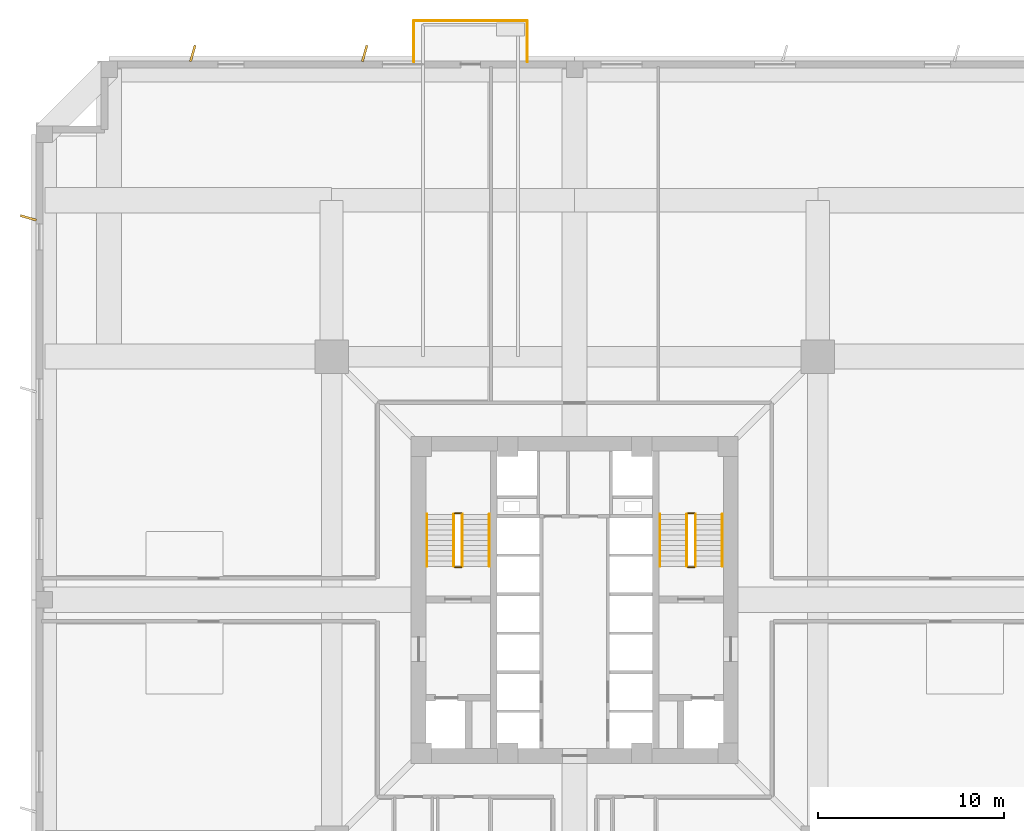
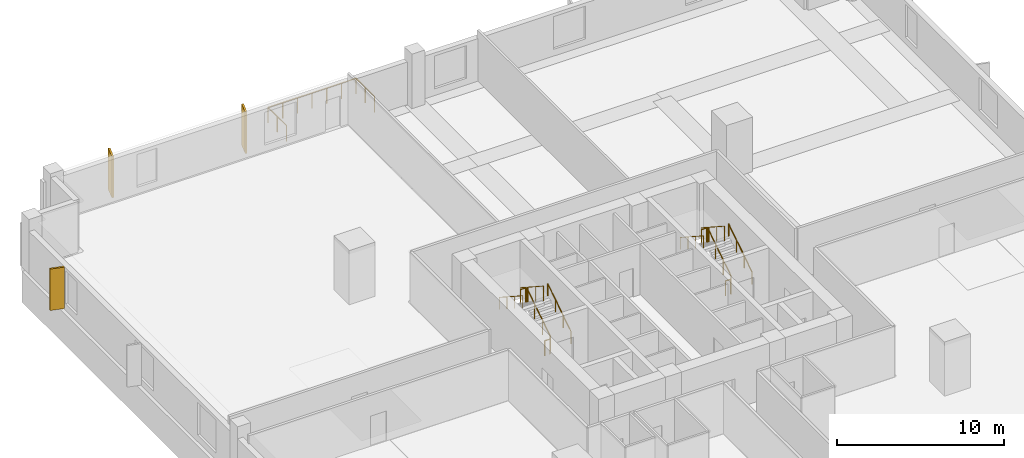
# One storey, part 8 of 9: 15 railings, 3 coverings.
"""IFC4 building model written with IfcOpenShell, lengths in metres."""

import ifcopenshell
import ifcopenshell.guid

model = None  # the IFC model being written
_history = None  # IfcOwnerHistory: only IFC2X3 demands one
_inside = {}  # id of a spatial element -> (the spatial element, [elements in it])
_under = {}  # id of a project, library or spatial element -> (it, [spatial elements below it])
_declared = {}  # id of a project -> (the project, [libraries it declares])
_typed = {}  # id of a type object -> (the type object, [elements of that type])
_made_of = {}  # id of a material, layer set ... -> (it, [elements and type objects made of it])


def new_model(schema):
    """Start an empty IFC model of exactly this schema.

    Asked for "IFC4X3", IfcOpenShell would pick the latest addendum, in which some entities
    have other attributes; the version numbers below select the first issue.
    IFC2X3 requires an IfcOwnerHistory on every rooted entity: one is made here for all.
    """
    global model, _history
    if schema == "IFC4X3":
        model = ifcopenshell.file(schema_version=(4, 3, 0, 0))
    else:
        model = ifcopenshell.file(schema=schema)
    _inside.clear()
    _under.clear()
    _declared.clear()
    _typed.clear()
    _made_of.clear()
    _history = None
    if model.schema == "IFC2X3":
        org = make("IfcOrganization", Name="unknown")
        user = make(
            "IfcPersonAndOrganization",
            ThePerson=make("IfcPerson", FamilyName="unknown"),
            TheOrganization=org,
        )
        app = make(
            "IfcApplication",
            ApplicationDeveloper=org,
            Version="unknown",
            ApplicationFullName="unknown",
            ApplicationIdentifier="unknown",
        )
        _history = make(
            "IfcOwnerHistory",
            OwningUser=user,
            OwningApplication=app,
            ChangeAction="ADDED",
            CreationDate=0,
        )
    return model


def make(cls, **values):
    """One entity of the class cls with the attributes given. An attribute that is None is left unset."""
    return model.create_entity(
        cls, **{name: value for name, value in values.items() if value is not None}
    )


def rooted(cls, **values):
    """An entity with a GlobalId (a new one), such as an element, a storey or a relation."""
    return make(cls, GlobalId=ifcopenshell.guid.new(), OwnerHistory=_history, **values)


def si_unit(unit_type, name, prefix=None):
    """IfcSIUnit, for example si_unit("LENGTHUNIT", "METRE", prefix="MILLI")."""
    return make("IfcSIUnit", UnitType=unit_type, Prefix=prefix, Name=name)


def assignment(units):
    """IfcUnitAssignment: the units of a project."""
    return None if units is None else make("IfcUnitAssignment", Units=units)


def point(xyz):
    """IfcCartesianPoint."""
    return None if xyz is None else make("IfcCartesianPoint", Coordinates=xyz)


def direction(xyz):
    """IfcDirection."""
    return None if xyz is None else make("IfcDirection", DirectionRatios=xyz)


def frame(location, z_axis=None, x_axis=None):
    """IfcAxis2Placement3D, a coordinate frame: its origin and axes. An axis left out is left unset."""
    return make(
        "IfcAxis2Placement3D",
        Location=point(location),
        Axis=direction(z_axis),
        RefDirection=direction(x_axis),
    )


def frame_2d(location, x_axis=None):
    """IfcAxis2Placement2D, a coordinate frame in the plane: its origin and x axis."""
    return make(
        "IfcAxis2Placement2D", Location=point(location), RefDirection=direction(x_axis)
    )


def origin():
    """The frame at (0, 0, 0) with its axes left unset."""
    return frame((0.0, 0.0, 0.0))


def origin_2d():
    """The frame at (0, 0) in the plane with its x axis left unset."""
    return frame_2d((0.0, 0.0))


def place(relative_to, where):
    """IfcLocalPlacement: puts the frame where relative to a parent placement (None: the world)."""
    return make(
        "IfcLocalPlacement", PlacementRelTo=relative_to, RelativePlacement=where
    )


def context(
    kind, dimensions, precision=None, world=None, true_north=None, identifier=None
):
    """IfcGeometricRepresentationContext, for example the 3D "Model" context."""
    return make(
        "IfcGeometricRepresentationContext",
        ContextIdentifier=identifier,
        ContextType=kind,
        CoordinateSpaceDimension=dimensions,
        Precision=precision,
        WorldCoordinateSystem=world,
        TrueNorth=true_north,
    )


def subcontext(parent, identifier, kind, view, scale=None):
    """IfcGeometricRepresentationSubContext, for example "Body" below "Model"."""
    return make(
        "IfcGeometricRepresentationSubContext",
        ContextIdentifier=identifier,
        ContextType=kind,
        ParentContext=parent,
        TargetScale=scale,
        TargetView=view,
    )


def project(units=None, contexts=None):
    """IfcProject with its units and contexts."""
    return rooted(
        "IfcProject",
        Name="project",
        RepresentationContexts=contexts,
        UnitsInContext=assignment(units),
    )


def spatial(cls, under=None, at=None, **own):
    """A site, building, storey or space (cls), placed at a placement, below another one or the project."""
    s = rooted(cls, ObjectPlacement=at, **own)
    if under is not None:
        _under.setdefault(under.id(), (under, []))[1].append(s)
    return s


def profile(cls, at=None, kind="AREA", **sizes):
    """A parametric profile (cls). Its sizes go by their IFC names, for example OverallWidth=200.0."""
    return make(cls, ProfileType=kind, Position=at, **sizes)


def rectangle(**sizes):
    """IfcRectangleProfileDef."""
    return profile("IfcRectangleProfileDef", **sizes)


def circle(**sizes):
    """IfcCircleProfileDef."""
    return profile("IfcCircleProfileDef", **sizes)


def extrude(swept, where, along, depth):
    """IfcExtrudedAreaSolid: the profile swept, set in the frame where, extruded along a direction by depth."""
    return make(
        "IfcExtrudedAreaSolid",
        SweptArea=swept,
        Position=where,
        ExtrudedDirection=direction(along),
        Depth=depth,
    )


def shape(context_of_items, identifier, shape_type, items):
    """IfcShapeRepresentation: the items that make up one representation, for example the "Body"."""
    return make(
        "IfcShapeRepresentation",
        ContextOfItems=context_of_items,
        RepresentationIdentifier=identifier,
        RepresentationType=shape_type,
        Items=items,
    )


def source(mapping_origin, context_of_items, identifier, shape_type, items):
    """IfcRepresentationMap: a shape defined once, which mapped items show again and again."""
    return make(
        "IfcRepresentationMap",
        MappingOrigin=mapping_origin,
        MappedRepresentation=shape(context_of_items, identifier, shape_type, items),
    )


def transform(
    local_origin,
    x_axis=None,
    y_axis=None,
    z_axis=None,
    scale=None,
    scale2=None,
    scale3=None,
    uniform=True,
):
    """IfcCartesianTransformationOperator3D, or its non-uniform kind. x_axis, y_axis, z_axis: its Axis1, 2, 3."""
    if uniform:
        return make(
            "IfcCartesianTransformationOperator3D",
            Axis1=direction(x_axis),
            Axis2=direction(y_axis),
            LocalOrigin=point(local_origin),
            Scale=scale,
            Axis3=direction(z_axis),
        )
    return make(
        "IfcCartesianTransformationOperator3DnonUniform",
        Axis1=direction(x_axis),
        Axis2=direction(y_axis),
        LocalOrigin=point(local_origin),
        Scale=scale,
        Axis3=direction(z_axis),
        Scale2=scale2,
        Scale3=scale3,
    )


def mapped(mapping_source, mapping_target):
    """IfcMappedItem: shows the shape of a source again, moved by a transform."""
    return make(
        "IfcMappedItem", MappingSource=mapping_source, MappingTarget=mapping_target
    )


def material(Name=None, Category=None):
    """IfcMaterial."""
    return make("IfcMaterial", Name=Name, Category=Category)


def layer(
    of_material, thickness, ventilated=None, Name=None, Category=None, Priority=None
):
    """IfcMaterialLayer: one layer of a wall or slab, of a material (None: an air gap)."""
    return make(
        "IfcMaterialLayer",
        Material=of_material,
        LayerThickness=thickness,
        IsVentilated=ventilated,
        Name=Name,
        Category=Category,
        Priority=Priority,
    )


def layer_set(layers, Name=None):
    """IfcMaterialLayerSet."""
    return make("IfcMaterialLayerSet", MaterialLayers=layers, LayerSetName=Name)


def made_of(thing, what):
    """Note that an element or type object is made of a material, layer set ...; save() writes the relation."""
    if what is not None:
        _made_of.setdefault(what.id(), (what, []))[1].append(thing)
    return thing


def type_object(cls, material=None, **own):
    """A type object (cls), such as IfcWallType, which elements share."""
    return made_of(rooted(cls, **own), material)


def element(
    cls,
    number,
    at=None,
    inside=None,
    cuts=None,
    type_object=None,
    material=None,
    context=None,
    identifier="Body",
    shape_type=None,
    held_by="IfcProductDefinitionShape",
    body=None,
    shapes=None,
    **own,
):
    """One element of the class cls, such as IfcWall. Its Tag is "e" and its number.

    at: its placement. inside: the storey or other place that contains it. cuts: it is an
    opening in that element (IfcRelVoidsElement). A single representation is given by context,
    identifier, shape_type and body (its items); several are given by shapes. held_by: the class
    of the entity that holds the representations. save() writes the other relations.
    """
    e = rooted(cls, Tag="e%d" % number, ObjectPlacement=at, **own)
    if body is not None:
        shapes = [shape(context, identifier, shape_type, body)]
    if shapes is not None:
        e.Representation = make(held_by, Representations=shapes)
    if inside is not None:
        _inside.setdefault(inside.id(), (inside, []))[1].append(e)
    if cuts is not None:
        rooted(
            "IfcRelVoidsElement", RelatingBuildingElement=cuts, RelatedOpeningElement=e
        )
    if type_object is not None:
        _typed.setdefault(type_object.id(), (type_object, []))[1].append(e)
    return made_of(e, material)


def aggregate(whole, parts):
    """IfcRelAggregates: a whole, such as a stair, and the parts it consists of."""
    return rooted("IfcRelAggregates", RelatingObject=whole, RelatedObjects=parts)


def save(model, path):
    """Write the relations noted so far, then the file.

    IfcRelAggregates (storeys below a building ...), IfcRelContainedInSpatialStructure (elements
    in a storey), IfcRelDefinesByType, IfcRelAssociatesMaterial and IfcRelDeclares: one each for
    every whole, place, type object, material and project.
    """
    for whole, parts in _under.values():
        aggregate(whole, parts)
    for where, things in _inside.values():
        rooted(
            "IfcRelContainedInSpatialStructure",
            RelatedElements=things,
            RelatingStructure=where,
        )
    for kind, things in _typed.values():
        rooted("IfcRelDefinesByType", RelatedObjects=things, RelatingType=kind)
    for what, things in _made_of.values():
        rooted("IfcRelAssociatesMaterial", RelatedObjects=things, RelatingMaterial=what)
    for by, libraries in _declared.values():
        rooted("IfcRelDeclares", RelatingContext=by, RelatedDefinitions=libraries)
    model.write(path)


model = new_model("IFC4")

# Units and contexts
model_context = context("Model", 3, precision=1e-05, world=origin(), true_north=direction((0.0, 1.0)))
body_context = subcontext(model_context, "Body", "Model", "MODEL_VIEW")
ifc_project = project(units=[si_unit("LENGTHUNIT", "METRE"), si_unit("AREAUNIT", "SQUARE_METRE"), si_unit("VOLUMEUNIT", "CUBIC_METRE"), si_unit("PLANEANGLEUNIT", "RADIAN"), si_unit("MASSUNIT", "GRAM", prefix="KILO"), si_unit("THERMODYNAMICTEMPERATUREUNIT", "KELVIN")], contexts=[model_context])

# Site, building, storey
site_placement = place(None, origin())
site = spatial("IfcSite", under=ifc_project, at=site_placement, CompositionType="ELEMENT")
building_placement = place(site_placement, origin())
building = spatial("IfcBuilding", under=site, at=building_placement, Name="Kosmvard Interchange Tower", CompositionType="ELEMENT")
storey_placement = place(building_placement, frame((0.0, 0.0, 26.0)))
storey = spatial("IfcBuildingStorey", under=building, at=storey_placement, Name="L05", CompositionType="ELEMENT", Elevation=26.0)

# Railings
ifc_material_1 = material(Name="Steel S355", Category="steel")
railing_type_1 = type_object("IfcRailingType", Name="Observation & Balcony Glass-Infill Balustrade 1150", PredefinedType="BALUSTRADE", material=ifc_material_1)
shared_shape_1 = source(origin(), body_context, "Body", "SweptSolid", [
    extrude(circle(Radius=0.02392578125, at=origin_2d()), frame((0.0, 0.0, 1.1259765625), z_axis=(0.0, -1.0, 0.0), x_axis=(1.0, 0.0, 0.0)), (0.0, 0.0, 1.0), 2.199951171875),
    extrude(circle(Radius=0.02099609375, at=origin_2d()), origin(), (0.0, 0.0, 1.0), 1.101806640625),
    extrude(circle(Radius=0.02099609375, at=origin_2d()), frame((0.0, -1.10009765625, 0.0)), (0.0, 0.0, 1.0), 1.101806640625),
    extrude(circle(Radius=0.02099609375, at=origin_2d()), frame((0.0, -2.199951171875, 0.0)), (0.0, 0.0, 1.0), 1.101806640625),
])
railing_1_placement = place(storey_placement, frame((-8.64990234375, 31.14990234375, 0.0)))
element("IfcRailing", 1, at=railing_1_placement, inside=storey, type_object=railing_type_1, Name="L05 Outdoor Terrace Guard BAL-L05-NE-C", PredefinedType="BALUSTRADE", context=body_context, shape_type="MappedRepresentation", body=[
    mapped(shared_shape_1, transform((0.0, 0.0, 0.0), scale=1.0)),
])
shared_shape_2 = source(origin(), body_context, "Body", "SweptSolid", [
    extrude(circle(Radius=0.02392578125, at=origin_2d()), frame((0.0, 0.0, 1.1259765625), z_axis=(0.0, 1.0, 0.0), x_axis=(-1.0, 0.0, 0.0)), (0.0, 0.0, 1.0), 2.199951171875),
    extrude(circle(Radius=0.02099609375, at=origin_2d()), origin(), (0.0, 0.0, 1.0), 1.101806640625),
    extrude(circle(Radius=0.02099609375, at=origin_2d()), frame((0.0, 1.10009765625, 0.0)), (0.0, 0.0, 1.0), 1.101806640625),
    extrude(circle(Radius=0.02099609375, at=origin_2d()), frame((0.0, 2.199951171875, 0.0)), (0.0, 0.0, 1.0), 1.101806640625),
])
railing_2_placement = place(storey_placement, frame((-2.550048828125, 28.949951171875, 0.0)))
element("IfcRailing", 2, at=railing_2_placement, inside=storey, type_object=railing_type_1, Name="L05 Outdoor Terrace Guard BAL-L05-NE-A", PredefinedType="BALUSTRADE", context=body_context, shape_type="MappedRepresentation", body=[
    mapped(shared_shape_2, transform((0.0, 0.0, 0.0), scale=1.0)),
])

# Coverings
ifc_material_2 = material(Name="Architectural anodised aluminium", Category="aluminium")
ifc_layer = layer(ifc_material_2, 0.1201171875, Name="Architectural anodised aluminium")
ifc_layer_set = layer_set([ifc_layer], Name="Architectural anodised aluminium")
covering_type = type_object("IfcCoveringType", Name="Rotating Vertical Sun-Breaker Fin 900x120 Aluminium", PredefinedType="CLADDING", material=ifc_layer_set)
shared_shape_3 = source(origin(), body_context, "Body", "SweptSolid", [
    extrude(rectangle(XDim=0.89990234375, YDim=0.1201171875, at=origin_2d()), origin(), (0.0, 0.0, 1.0), 3.0400390625),
])
for number, where, z_axis, x_axis, name in (
    (3, (-11.3037109375, 29.39990234375, 0.0400390625), (0.0, 0.0, 1.0), (0.275637355817, 0.961261695938, 0.0), "L05 Rotating Vertical Sun-Breaker Fin 11"),
    (4, (-20.552001953125, 29.39990234375, 0.0400390625), (0.0, 0.0, 1.0), (0.275637355817, 0.961261695938, 0.0), "L05 Rotating Vertical Sun-Breaker Fin 12"),
    (5, (-29.39990234375, 20.552001953125, 0.0400390625), (0.0, 0.0, 1.0), (-0.961261695938, 0.275637355817, 0.0), "L05 Rotating Vertical Sun-Breaker Fin 13"),
):
    element("IfcCovering", number, at=place(storey_placement, frame(where, z_axis=z_axis, x_axis=x_axis)), inside=storey, type_object=covering_type, Name=name, PredefinedType="CLADDING", context=body_context, shape_type="MappedRepresentation", body=[
        mapped(shared_shape_3, transform((0.0, 0.0, 0.0), scale=1.0)),
    ])

# Railings
shared_shape_4 = source(origin(), body_context, "Body", "SweptSolid", [
    extrude(circle(Radius=0.02392578125, at=origin_2d()), frame((0.0, 0.0, 1.1259765625), z_axis=(-1.0, 0.0, 0.0), x_axis=(0.0, -1.0, 0.0)), (0.0, 0.0, 1.0), 6.099853515625),
    extrude(circle(Radius=0.02099609375, at=origin_2d()), origin(), (0.0, 0.0, 1.0), 1.101806640625),
    extrude(circle(Radius=0.02099609375, at=origin_2d()), frame((-1.0166015625, 0.0, 0.0)), (0.0, 0.0, 1.0), 1.101806640625),
    extrude(circle(Radius=0.02099609375, at=origin_2d()), frame((-2.033203125, 0.0, 0.0)), (0.0, 0.0, 1.0), 1.101806640625),
    extrude(circle(Radius=0.02099609375, at=origin_2d()), frame((-3.0498046875, 0.0, 0.0)), (0.0, 0.0, 1.0), 1.101806640625),
    extrude(circle(Radius=0.02099609375, at=origin_2d()), frame((-4.066650390625, 0.0, 0.0)), (0.0, 0.0, 1.0), 1.101806640625),
    extrude(circle(Radius=0.02099609375, at=origin_2d()), frame((-5.083251953125, 0.0, 0.0)), (0.0, 0.0, 1.0), 1.101806640625),
    extrude(circle(Radius=0.02099609375, at=origin_2d()), frame((-6.099853515625, 0.0, 0.0)), (0.0, 0.0, 1.0), 1.101806640625),
])
railing_3_placement = place(storey_placement, frame((-2.550048828125, 31.14990234375, 0.0)))
element("IfcRailing", 6, at=railing_3_placement, inside=storey, type_object=railing_type_1, Name="L05 Outdoor Terrace Guard BAL-L05-NE-B", PredefinedType="BALUSTRADE", context=body_context, shape_type="MappedRepresentation", body=[
    mapped(shared_shape_4, transform((0.0, 0.0, 0.0), scale=1.0)),
])
railing_type_2 = type_object("IfcRailingType", Name="Stair & Terrace Safety Guardrail 1100 Steel", PredefinedType="GUARDRAIL", material=ifc_material_1)
shared_shape_5 = source(origin(), body_context, "Body", "SweptSolid", [
    extrude(circle(Radius=0.02392578125, at=origin_2d()), frame((0.0, 0.0, 1.076171875), z_axis=(-1.0, 0.0, 0.0), x_axis=(0.0, -1.0, 0.0)), (0.0, 0.0, 1.0), 0.35986328125),
    extrude(circle(Radius=0.02099609375, at=origin_2d()), origin(), (0.0, 0.0, 1.0), 1.052001953125),
    extrude(circle(Radius=0.02099609375, at=origin_2d()), frame((-0.35986328125, 0.0, 0.0)), (0.0, 0.0, 1.0), 1.052001953125),
])
for number, where, name in (
    (7, (-6.090087890625, 4.64990234375, 2.0), "L05 ST-1 stair guard 2"),
    (8, (-6.090087890625, 1.75, 0.0), "L05 ST-1 stair guard 4"),
    (9, (6.449951171875, 4.64990234375, 2.0), "L05 ST-2 stair guard 2"),
    (10, (6.449951171875, 1.75, 0.0), "L05 ST-2 stair guard 4"),
):
    element("IfcRailing", number, at=place(storey_placement, frame(where)), inside=storey, type_object=railing_type_2, Name=name, PredefinedType="GUARDRAIL", context=body_context, shape_type="MappedRepresentation", body=[
        mapped(shared_shape_5, transform((0.0, 0.0, 0.0), scale=1.0)),
    ])
shared_shape_6 = source(origin(), body_context, "Body", "SweptSolid", [
    extrude(circle(Radius=0.02392578125, at=origin_2d()), frame((0.0, 0.0, 1.076171875), z_axis=(0.0, 0.838705829183, 0.544584733623), x_axis=(-1.0, 0.0, 0.0)), (0.0, 0.0, 1.0), 3.338623046875),
    extrude(circle(Radius=0.02099609375, at=origin_2d()), origin(), (0.0, 0.0, 1.0), 1.052001953125),
    extrude(circle(Radius=0.02099609375, at=origin_2d()), frame((0.0, 0.933349609375, 0.60595703125)), (0.0, 0.0, 1.0), 1.052001953125),
    extrude(circle(Radius=0.02099609375, at=origin_2d()), frame((0.0, 1.86669921875, 1.212158203125)), (0.0, 0.0, 1.0), 1.052001953125),
    extrude(circle(Radius=0.02099609375, at=origin_2d()), frame((0.0, 2.800048828125, 1.818115234375)), (0.0, 0.0, 1.0), 1.052001953125),
])
for number, where, name in (
    (11, (-6.0400390625, 1.800048828125, 0.181884765625), "L05 ST-1 stair guard 1"),
    (12, (6.5, 1.800048828125, 0.181884765625), "L05 ST-2 stair guard 1"),
):
    element("IfcRailing", number, at=place(storey_placement, frame(where)), inside=storey, type_object=railing_type_2, Name=name, PredefinedType="GUARDRAIL", context=body_context, shape_type="MappedRepresentation", body=[
        mapped(shared_shape_6, transform((0.0, 0.0, 0.0), scale=1.0)),
    ])
shared_shape_7 = source(origin(), body_context, "Body", "SweptSolid", [
    extrude(circle(Radius=0.02392578125, at=origin_2d()), frame((0.0, 0.0, 1.076171875), z_axis=(0.0, -0.838705829183, 0.544584733623), x_axis=(1.0, 0.0, 0.0)), (0.0, 0.0, 1.0), 3.338623046875),
    extrude(circle(Radius=0.02099609375, at=origin_2d()), origin(), (0.0, 0.0, 1.0), 1.052001953125),
    extrude(circle(Radius=0.02099609375, at=origin_2d()), frame((0.0, -0.933349609375, 0.60595703125)), (0.0, 0.0, 1.0), 1.052001953125),
    extrude(circle(Radius=0.02099609375, at=origin_2d()), frame((0.0, -1.86669921875, 1.212158203125)), (0.0, 0.0, 1.0), 1.052001953125),
    extrude(circle(Radius=0.02099609375, at=origin_2d()), frame((0.0, -2.800048828125, 1.818115234375)), (0.0, 0.0, 1.0), 1.052001953125),
])
for number, where, name in (
    (13, (-6.5, 4.60009765625, 2.181884765625), "L05 ST-1 stair guard 3"),
    (14, (6.0400390625, 4.60009765625, 2.181884765625), "L05 ST-2 stair guard 3"),
):
    element("IfcRailing", number, at=place(storey_placement, frame(where)), inside=storey, type_object=railing_type_2, Name=name, PredefinedType="GUARDRAIL", context=body_context, shape_type="MappedRepresentation", body=[
        mapped(shared_shape_7, transform((0.0, 0.0, 0.0), scale=1.0)),
    ])
railing_type_3 = type_object("IfcRailingType", Name="Wall-Mounted Stair Handrail 900 Steel", PredefinedType="HANDRAIL", material=ifc_material_1)
shared_shape_8 = source(origin(), body_context, "Body", "SweptSolid", [
    extrude(circle(Radius=0.02392578125, at=origin_2d()), frame((0.0, 0.0, 0.8759765625), z_axis=(0.0, 0.838705829183, 0.544584733623), x_axis=(-1.0, 0.0, 0.0)), (0.0, 0.0, 1.0), 3.338623046875),
    extrude(circle(Radius=0.02099609375, at=origin_2d()), origin(), (0.0, 0.0, 1.0), 0.851806640625),
    extrude(circle(Radius=0.02099609375, at=origin_2d()), frame((0.0, 0.933349609375, 0.60595703125)), (0.0, 0.0, 1.0), 0.851806640625),
    extrude(circle(Radius=0.02099609375, at=origin_2d()), frame((0.0, 1.86669921875, 1.212158203125)), (0.0, 0.0, 1.0), 0.851806640625),
    extrude(circle(Radius=0.02099609375, at=origin_2d()), frame((0.0, 2.800048828125, 1.818115234375)), (0.0, 0.0, 1.0), 0.851806640625),
])
for number, where, name in (
    (15, (-4.590087890625, 1.800048828125, 0.181884765625), "L05 ST-1 stair handrail 1"),
    (16, (7.949951171875, 1.800048828125, 0.181884765625), "L05 ST-2 stair handrail 1"),
):
    element("IfcRailing", number, at=place(storey_placement, frame(where)), inside=storey, type_object=railing_type_3, Name=name, PredefinedType="HANDRAIL", context=body_context, shape_type="MappedRepresentation", body=[
        mapped(shared_shape_8, transform((0.0, 0.0, 0.0), scale=1.0)),
    ])
shared_shape_9 = source(origin(), body_context, "Body", "SweptSolid", [
    extrude(circle(Radius=0.02392578125, at=origin_2d()), frame((0.0, 0.0, 0.8759765625), z_axis=(0.0, -0.838705829183, 0.544584733623), x_axis=(1.0, 0.0, 0.0)), (0.0, 0.0, 1.0), 3.338623046875),
    extrude(circle(Radius=0.02099609375, at=origin_2d()), origin(), (0.0, 0.0, 1.0), 0.851806640625),
    extrude(circle(Radius=0.02099609375, at=origin_2d()), frame((0.0, -0.933349609375, 0.60595703125)), (0.0, 0.0, 1.0), 0.851806640625),
    extrude(circle(Radius=0.02099609375, at=origin_2d()), frame((0.0, -1.86669921875, 1.212158203125)), (0.0, 0.0, 1.0), 0.851806640625),
    extrude(circle(Radius=0.02099609375, at=origin_2d()), frame((0.0, -2.800048828125, 1.818115234375)), (0.0, 0.0, 1.0), 0.851806640625),
])
for number, where, name in (
    (17, (-7.949951171875, 4.60009765625, 2.181884765625), "L05 ST-1 stair handrail 2"),
    (18, (4.590087890625, 4.60009765625, 2.181884765625), "L05 ST-2 stair handrail 2"),
):
    element("IfcRailing", number, at=place(storey_placement, frame(where)), inside=storey, type_object=railing_type_3, Name=name, PredefinedType="HANDRAIL", context=body_context, shape_type="MappedRepresentation", body=[
        mapped(shared_shape_9, transform((0.0, 0.0, 0.0), scale=1.0)),
    ])

save(model, "model.ifc")
